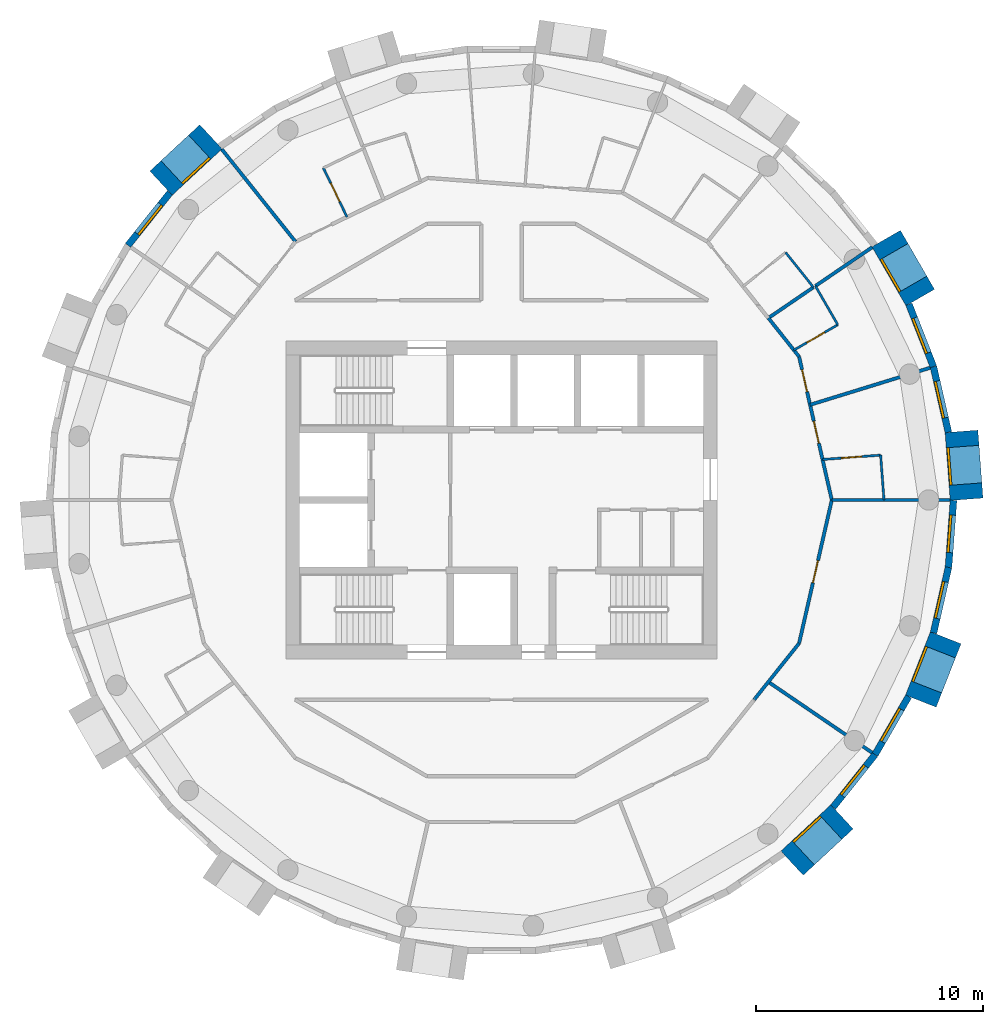
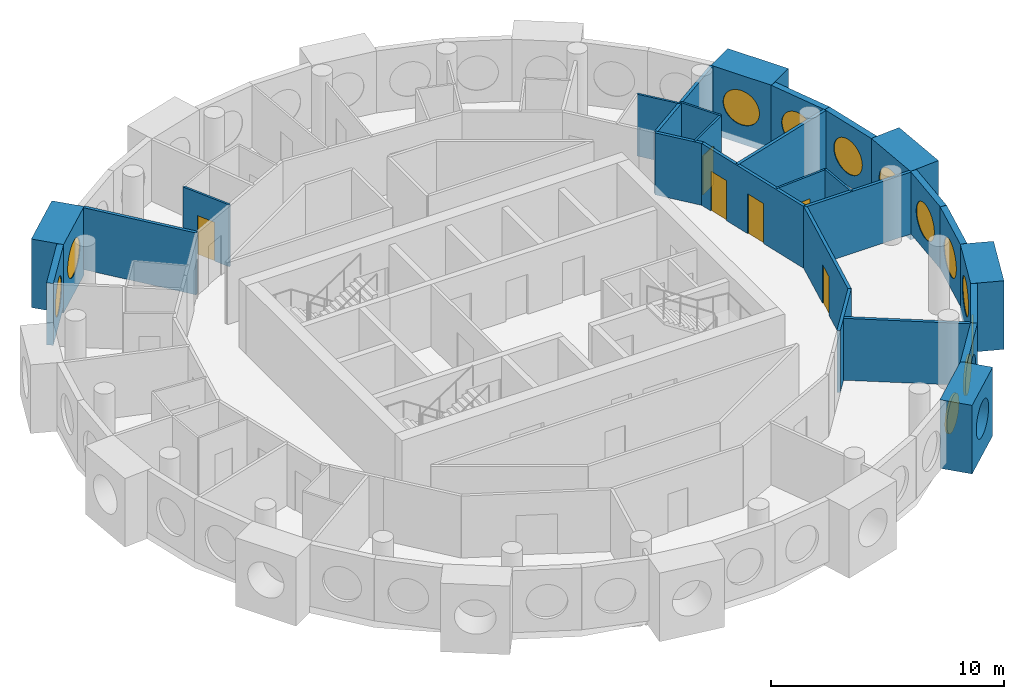
# One storey, part 9 of 12: 28 walls, 12 windows, 6 doors, 18 openings.
"""IFC4 building model written with IfcOpenShell, lengths in metres."""

from ifc_helpers import new_model, si_unit, direction, frame, frame_2d, origin, origin_2d, place, context, subcontext, project, spatial, rectangle, circle, extrude, material, layer, layer_set, type_object, element, fill, save


model = new_model("IFC4")

# Units and contexts
model_context = context("Model", 3, precision=1e-05, world=origin(), true_north=direction((0.0, 1.0)))
body_context = subcontext(model_context, "Body", "Model", "MODEL_VIEW")
ifc_project = project(units=[si_unit("LENGTHUNIT", "METRE"), si_unit("AREAUNIT", "SQUARE_METRE"), si_unit("VOLUMEUNIT", "CUBIC_METRE"), si_unit("PLANEANGLEUNIT", "RADIAN"), si_unit("MASSUNIT", "GRAM", prefix="KILO")], contexts=[model_context])

# Site, building, storey
site_placement = place(None, origin())
site = spatial("IfcSite", under=ifc_project, at=site_placement, CompositionType="ELEMENT")
building_placement = place(site_placement, origin())
building = spatial("IfcBuilding", under=site, at=building_placement, Name="Tracery Tower", CompositionType="ELEMENT")
storey_placement = place(building_placement, frame((0.0, 0.0, 312.60009765625)))
storey = spatial("IfcBuildingStorey", under=building, at=storey_placement, Name="L81", CompositionType="ELEMENT", Elevation=312.60009765625)

# Wall, opening, window
ifc_material_1 = material(Name="Precast concrete C50/60", Category="concrete")
ifc_layer_1 = layer(ifc_material_1, 1.449951171875)
ifc_layer_set_1 = layer_set([ifc_layer_1], Name="Deep-set bay unit 3000 x 3600, slab edge 350")
wall_type_1 = type_object("IfcWallType", Name="Deep-set bay unit 3000 x 3600, slab edge 350", PredefinedType="ELEMENTEDWALL", material=ifc_layer_set_1)
wall_1_placement = place(storey_placement, frame((20.49609375, 0.03173828125, -0.35009765625), z_axis=(0.0, 0.0, 1.0), x_axis=(-0.074785902127, 0.997199613339, 0.0)))
wall_1 = element("IfcWall", 1, at=wall_1_placement, inside=storey, type_object=wall_type_1, Name="Deep-set bay unit 1 at L81", PredefinedType="ELEMENTEDWALL", context=body_context, shape_type="SweptSolid", body=[
    extrude(rectangle(XDim=3.0, YDim=1.449951171875, at=frame_2d((1.5, 0.0))), origin(), (0.0, 0.0, 1.0), 3.60009765625),
])
opening_1_placement = place(wall_1_placement, frame((1.5, 0.0, 1.89990234375)))
opening_1 = element("IfcOpeningElement", 2, at=opening_1_placement, cuts=wall_1, Name="Opening WN1", PredefinedType="OPENING", context=body_context, shape_type="SweptSolid", body=[
    extrude(circle(Radius=0.9000244140625, at=origin_2d()), frame((0.0, 0.73486328125, 0.0), z_axis=(0.0, -1.0, 0.0), x_axis=(1.0, 0.0, 0.0)), (0.0, 0.0, 1.0), 1.469970703125),
])
ifc_material_2 = material(Name="Aluminium frame with tinted double glazing", Category="aluminium")
window_type = type_object("IfcWindowType", Name="Round window 1800", PartitioningType="SINGLE_PANEL", PredefinedType="WINDOW", material=ifc_material_2)
window_1_placement = place(opening_1_placement, origin())
window_1 = element("IfcWindow", 3, at=window_1_placement, inside=storey, type_object=window_type, Name="Round window 1 at L81", OverallHeight=1.800048828125, OverallWidth=1.800048828125, PartitioningType="SINGLE_PANEL", PredefinedType="WINDOW", context=body_context, shape_type="SweptSolid", body=[
    extrude(circle(Radius=0.9000244140625, at=origin_2d()), frame((0.0, 0.69482421875, 0.0), z_axis=(0.0, -1.0, 0.0), x_axis=(1.0, 0.0, 0.0)), (0.0, 0.0, 1.0), 0.10009765625),
])
fill(opening_1, window_1)

wall_2_placement = place(storey_placement, frame((18.452392578125, 8.92138671875, -0.35009765625), z_axis=(0.0, 0.0, 1.0), x_axis=(-0.499990139034, 0.866031096941, 0.0)))
wall_2 = element("IfcWall", 4, at=wall_2_placement, inside=storey, type_object=wall_type_1, Name="Deep-set bay unit 4 at L81", PredefinedType="ELEMENTEDWALL", context=body_context, shape_type="SweptSolid", body=[
    extrude(rectangle(XDim=3.0, YDim=1.449951171875, at=frame_2d((1.5, 0.0))), origin(), (0.0, 0.0, 1.0), 3.60009765625),
])
opening_2_placement = place(wall_2_placement, frame((1.5, 0.0, 1.89990234375)))
opening_2 = element("IfcOpeningElement", 5, at=opening_2_placement, cuts=wall_2, Name="Opening WN1", PredefinedType="OPENING", context=body_context, shape_type="SweptSolid", body=[
    extrude(circle(Radius=0.9000244140625, at=origin_2d()), frame((0.0, 0.73486328125, 0.0), z_axis=(0.0, -1.0, 0.0), x_axis=(1.0, 0.0, 0.0)), (0.0, 0.0, 1.0), 1.469970703125),
])
window_2_placement = place(opening_2_placement, origin())
window_2 = element("IfcWindow", 6, at=window_2_placement, inside=storey, type_object=window_type, Name="Round window 4 at L81", OverallHeight=1.800048828125, OverallWidth=1.800048828125, PartitioningType="SINGLE_PANEL", PredefinedType="WINDOW", context=body_context, shape_type="SweptSolid", body=[
    extrude(circle(Radius=0.9000244140625, at=origin_2d()), frame((0.0, 0.69482421875, 0.0), z_axis=(0.0, -1.0, 0.0), x_axis=(1.0, 0.0, 0.0)), (0.0, 0.0, 1.0), 0.10009765625),
])
fill(opening_2, window_2)

wall_3_placement = place(storey_placement, frame((-12.803955078125, 16.004638671875, -0.35009765625), z_axis=(0.0, 0.0, 1.0), x_axis=(-0.733022439167, -0.680204457261, 0.0)))
wall_3 = element("IfcWall", 7, at=wall_3_placement, inside=storey, type_object=wall_type_1, Name="Deep-set bay unit 16 at L81", PredefinedType="ELEMENTEDWALL", context=body_context, shape_type="SweptSolid", body=[
    extrude(rectangle(XDim=2.999755859375, YDim=1.449951171875, at=frame_2d((1.5, 0.0))), origin(), (0.0, 0.0, 1.0), 3.60009765625),
])
opening_3_placement = place(wall_3_placement, frame((1.5, 0.0, 1.89990234375)))
opening_3 = element("IfcOpeningElement", 8, at=opening_3_placement, cuts=wall_3, Name="Opening WN1", PredefinedType="OPENING", context=body_context, shape_type="SweptSolid", body=[
    extrude(circle(Radius=0.9000244140625, at=origin_2d()), frame((0.0, 0.73486328125, 0.0), z_axis=(0.0, -1.0, 0.0), x_axis=(1.0, 0.0, 0.0)), (0.0, 0.0, 1.0), 1.469970703125),
])
window_3_placement = place(opening_3_placement, origin())
window_3 = element("IfcWindow", 9, at=window_3_placement, inside=storey, type_object=window_type, Name="Round window 16 at L81", OverallHeight=1.800048828125, OverallWidth=1.800048828125, PartitioningType="SINGLE_PANEL", PredefinedType="WINDOW", context=body_context, shape_type="SweptSolid", body=[
    extrude(circle(Radius=0.9000244140625, at=origin_2d()), frame((0.0, 0.69482421875, 0.0), z_axis=(0.0, -1.0, 0.0), x_axis=(1.0, 0.0, 0.0)), (0.0, 0.0, 1.0), 0.10009765625),
])
fill(opening_3, window_3)

wall_4_placement = place(storey_placement, frame((12.803955078125, -16.004638671875, -0.35009765625), z_axis=(0.0, 0.0, 1.0), x_axis=(0.733022439167, 0.680204457261, 0.0)))
wall_4 = element("IfcWall", 10, at=wall_4_placement, inside=storey, type_object=wall_type_1, Name="Deep-set bay unit 37 at L81", PredefinedType="ELEMENTEDWALL", context=body_context, shape_type="SweptSolid", body=[
    extrude(rectangle(XDim=2.999755859375, YDim=1.449951171875, at=frame_2d((1.5, 0.0))), origin(), (0.0, 0.0, 1.0), 3.60009765625),
])
opening_4_placement = place(wall_4_placement, frame((1.5, 0.0, 1.89990234375)))
opening_4 = element("IfcOpeningElement", 11, at=opening_4_placement, cuts=wall_4, Name="Opening WN1", PredefinedType="OPENING", context=body_context, shape_type="SweptSolid", body=[
    extrude(circle(Radius=0.9000244140625, at=origin_2d()), frame((0.0, 0.73486328125, 0.0), z_axis=(0.0, -1.0, 0.0), x_axis=(1.0, 0.0, 0.0)), (0.0, 0.0, 1.0), 1.469970703125),
])
window_4_placement = place(opening_4_placement, origin())
window_4 = element("IfcWindow", 12, at=window_4_placement, inside=storey, type_object=window_type, Name="Round window 37 at L81", OverallHeight=1.800048828125, OverallWidth=1.800048828125, PartitioningType="SINGLE_PANEL", PredefinedType="WINDOW", context=body_context, shape_type="SweptSolid", body=[
    extrude(circle(Radius=0.9000244140625, at=origin_2d()), frame((0.0, 0.69482421875, 0.0), z_axis=(0.0, -1.0, 0.0), x_axis=(1.0, 0.0, 0.0)), (0.0, 0.0, 1.0), 0.10009765625),
])
fill(opening_4, window_4)

wall_5_placement = place(storey_placement, frame((18.47998046875, -8.8642578125, -0.35009765625), z_axis=(0.0, 0.0, 1.0), x_axis=(0.36537792632, 0.93085926485, 0.0)))
wall_5 = element("IfcWall", 13, at=wall_5_placement, inside=storey, type_object=wall_type_1, Name="Deep-set bay unit 40 at L81", PredefinedType="ELEMENTEDWALL", context=body_context, shape_type="SweptSolid", body=[
    extrude(rectangle(XDim=3.000244140625, YDim=1.449951171875, at=frame_2d((1.5, 0.0))), origin(), (0.0, 0.0, 1.0), 3.60009765625),
])
opening_5_placement = place(wall_5_placement, frame((1.5, 0.0, 1.89990234375)))
opening_5 = element("IfcOpeningElement", 14, at=opening_5_placement, cuts=wall_5, Name="Opening WN1", PredefinedType="OPENING", context=body_context, shape_type="SweptSolid", body=[
    extrude(circle(Radius=0.9000244140625, at=origin_2d()), frame((0.0, 0.73486328125, 0.0), z_axis=(0.0, -1.0, 0.0), x_axis=(1.0, 0.0, 0.0)), (0.0, 0.0, 1.0), 1.469970703125),
])
window_5_placement = place(opening_5_placement, origin())
window_5 = element("IfcWindow", 15, at=window_5_placement, inside=storey, type_object=window_type, Name="Round window 40 at L81", OverallHeight=1.800048828125, OverallWidth=1.800048828125, PartitioningType="SINGLE_PANEL", PredefinedType="WINDOW", context=body_context, shape_type="SweptSolid", body=[
    extrude(circle(Radius=0.9000244140625, at=origin_2d()), frame((0.0, 0.69482421875, 0.0), z_axis=(0.0, -1.0, 0.0), x_axis=(1.0, 0.0, 0.0)), (0.0, 0.0, 1.0), 0.10009765625),
])
fill(opening_5, window_5)

ifc_material_3 = material(Name="Precast concrete C50/60", Category="concrete")
ifc_layer_2 = layer(ifc_material_3, 0.300048828125)
ifc_layer_set_2 = layer_set([ifc_layer_2], Name="Facade panel 3000 x 3250")
wall_type_2 = type_object("IfcWallType", Name="Facade panel 3000 x 3250", PredefinedType="SOLIDWALL", material=ifc_layer_set_2)
wall_6_placement = place(storey_placement, frame((19.69580078125, 2.984130859375, 0.0), z_axis=(0.0, 0.0, 1.0), x_axis=(-0.222529389789, 0.974925982155, 0.0)))
wall_6 = element("IfcWall", 16, at=wall_6_placement, inside=storey, type_object=wall_type_2, Name="Facade panel 2 at L81", PredefinedType="SOLIDWALL", context=body_context, shape_type="SweptSolid", body=[
    extrude(rectangle(XDim=2.962158203125, YDim=0.300048828125, at=frame_2d((1.48095703125, 0.0))), origin(), (0.0, 0.0, 1.0), 3.25),
])
opening_6_placement = place(wall_6_placement, frame((1.48095703125, 0.0, 1.5498046875)))
opening_6 = element("IfcOpeningElement", 17, at=opening_6_placement, cuts=wall_6, Name="Opening WN1", PredefinedType="OPENING", context=body_context, shape_type="SweptSolid", body=[
    extrude(circle(Radius=0.9000244140625, at=origin_2d()), frame((0.0, 0.159912109375, 0.0), z_axis=(0.0, -1.0, 0.0), x_axis=(1.0, 0.0, 0.0)), (0.0, 0.0, 1.0), 0.320068359375),
])
window_6_placement = place(opening_6_placement, origin())
window_6 = element("IfcWindow", 18, at=window_6_placement, inside=storey, type_object=window_type, Name="Round window 2 at L81", OverallHeight=1.800048828125, OverallWidth=1.800048828125, PartitioningType="SINGLE_PANEL", PredefinedType="WINDOW", context=body_context, shape_type="SweptSolid", body=[
    extrude(circle(Radius=0.9000244140625, at=origin_2d()), frame((0.0, 0.1201171875, 0.0), z_axis=(0.0, -1.0, 0.0), x_axis=(1.0, 0.0, 0.0)), (0.0, 0.0, 1.0), 0.10009765625),
])
fill(opening_6, window_6)

wall_7_placement = place(storey_placement, frame((19.03662109375, 5.8720703125, 0.0), z_axis=(0.0, 0.0, 1.0), x_axis=(-0.36530043032, 0.930889679612, 0.0)))
wall_7 = element("IfcWall", 19, at=wall_7_placement, inside=storey, type_object=wall_type_2, Name="Facade panel 3 at L81", PredefinedType="SOLIDWALL", context=body_context, shape_type="SweptSolid", body=[
    extrude(rectangle(XDim=2.9619140625, YDim=0.300048828125, at=frame_2d((1.48095703125, 0.0))), origin(), (0.0, 0.0, 1.0), 3.25),
])
opening_7_placement = place(wall_7_placement, frame((1.48095703125, 0.0, 1.5498046875)))
opening_7 = element("IfcOpeningElement", 20, at=opening_7_placement, cuts=wall_7, Name="Opening WN1", PredefinedType="OPENING", context=body_context, shape_type="SweptSolid", body=[
    extrude(circle(Radius=0.9000244140625, at=origin_2d()), frame((0.0, 0.159912109375, 0.0), z_axis=(0.0, -1.0, 0.0), x_axis=(1.0, 0.0, 0.0)), (0.0, 0.0, 1.0), 0.320068359375),
])
window_7_placement = place(opening_7_placement, origin())
window_7 = element("IfcWindow", 21, at=window_7_placement, inside=storey, type_object=window_type, Name="Round window 3 at L81", OverallHeight=1.800048828125, OverallWidth=1.800048828125, PartitioningType="SINGLE_PANEL", PredefinedType="WINDOW", context=body_context, shape_type="SweptSolid", body=[
    extrude(circle(Radius=0.9000244140625, at=origin_2d()), frame((0.0, 0.1201171875, 0.0), z_axis=(0.0, -1.0, 0.0), x_axis=(1.0, 0.0, 0.0)), (0.0, 0.0, 1.0), 0.10009765625),
])
fill(opening_7, window_7)

wall_8_placement = place(storey_placement, frame((-14.61328125, 13.538330078125, 0.0), z_axis=(0.0, 0.0, 1.0), x_axis=(-0.623498236992, -0.781824755599, 0.0)))
wall_8 = element("IfcWall", 22, at=wall_8_placement, inside=storey, type_object=wall_type_2, Name="Facade panel 17 at L81", PredefinedType="SOLIDWALL", context=body_context, shape_type="SweptSolid", body=[
    extrude(rectangle(XDim=2.962158203125, YDim=0.300048828125, at=frame_2d((1.48095703125, 0.0))), origin(), (0.0, 0.0, 1.0), 3.25),
])
opening_8_placement = place(wall_8_placement, frame((1.48095703125, 0.0, 1.5498046875)))
opening_8 = element("IfcOpeningElement", 23, at=opening_8_placement, cuts=wall_8, Name="Opening WN1", PredefinedType="OPENING", context=body_context, shape_type="SweptSolid", body=[
    extrude(circle(Radius=0.9000244140625, at=origin_2d()), frame((0.0, 0.159912109375, 0.0), z_axis=(0.0, -1.0, 0.0), x_axis=(1.0, 0.0, 0.0)), (0.0, 0.0, 1.0), 0.320068359375),
])
window_8_placement = place(opening_8_placement, origin())
window_8 = element("IfcWindow", 24, at=window_8_placement, inside=storey, type_object=window_type, Name="Round window 17 at L81", OverallHeight=1.800048828125, OverallWidth=1.800048828125, PartitioningType="SINGLE_PANEL", PredefinedType="WINDOW", context=body_context, shape_type="SweptSolid", body=[
    extrude(circle(Radius=0.9000244140625, at=origin_2d()), frame((0.0, 0.1201171875, 0.0), z_axis=(0.0, -1.0, 0.0), x_axis=(1.0, 0.0, 0.0)), (0.0, 0.0, 1.0), 0.10009765625),
])
fill(opening_8, window_8)

wall_9_placement = place(storey_placement, frame((14.61328125, -13.538330078125, 0.0), z_axis=(0.0, 0.0, 1.0), x_axis=(0.623498236992, 0.781824755599, 0.0)))
wall_9 = element("IfcWall", 25, at=wall_9_placement, inside=storey, type_object=wall_type_2, Name="Facade panel 38 at L81", PredefinedType="SOLIDWALL", context=body_context, shape_type="SweptSolid", body=[
    extrude(rectangle(XDim=2.962158203125, YDim=0.300048828125, at=frame_2d((1.48095703125, 0.0))), origin(), (0.0, 0.0, 1.0), 3.25),
])
opening_9_placement = place(wall_9_placement, frame((1.48095703125, 0.0, 1.5498046875)))
opening_9 = element("IfcOpeningElement", 26, at=opening_9_placement, cuts=wall_9, Name="Opening WN1", PredefinedType="OPENING", context=body_context, shape_type="SweptSolid", body=[
    extrude(circle(Radius=0.9000244140625, at=origin_2d()), frame((0.0, 0.159912109375, 0.0), z_axis=(0.0, -1.0, 0.0), x_axis=(1.0, 0.0, 0.0)), (0.0, 0.0, 1.0), 0.320068359375),
])
window_9_placement = place(opening_9_placement, origin())
window_9 = element("IfcWindow", 27, at=window_9_placement, inside=storey, type_object=window_type, Name="Round window 38 at L81", OverallHeight=1.800048828125, OverallWidth=1.800048828125, PartitioningType="SINGLE_PANEL", PredefinedType="WINDOW", context=body_context, shape_type="SweptSolid", body=[
    extrude(circle(Radius=0.9000244140625, at=origin_2d()), frame((0.0, 0.1201171875, 0.0), z_axis=(0.0, -1.0, 0.0), x_axis=(1.0, 0.0, 0.0)), (0.0, 0.0, 1.0), 0.10009765625),
])
fill(opening_9, window_9)

wall_10_placement = place(storey_placement, frame((16.460205078125, -11.222412109375, 0.0), z_axis=(0.0, 0.0, 1.0), x_axis=(0.499950756475, 0.86605383268, 0.0)))
wall_10 = element("IfcWall", 28, at=wall_10_placement, inside=storey, type_object=wall_type_2, Name="Facade panel 39 at L81", PredefinedType="SOLIDWALL", context=body_context, shape_type="SweptSolid", body=[
    extrude(rectangle(XDim=2.962158203125, YDim=0.300048828125, at=frame_2d((1.48095703125, 0.0))), origin(), (0.0, 0.0, 1.0), 3.25),
])
opening_10_placement = place(wall_10_placement, frame((1.48095703125, 0.0, 1.5498046875)))
opening_10 = element("IfcOpeningElement", 29, at=opening_10_placement, cuts=wall_10, Name="Opening WN1", PredefinedType="OPENING", context=body_context, shape_type="SweptSolid", body=[
    extrude(circle(Radius=0.9000244140625, at=origin_2d()), frame((0.0, 0.159912109375, 0.0), z_axis=(0.0, -1.0, 0.0), x_axis=(1.0, 0.0, 0.0)), (0.0, 0.0, 1.0), 0.320068359375),
])
window_10_placement = place(opening_10_placement, origin())
window_10 = element("IfcWindow", 30, at=window_10_placement, inside=storey, type_object=window_type, Name="Round window 39 at L81", OverallHeight=1.800048828125, OverallWidth=1.800048828125, PartitioningType="SINGLE_PANEL", PredefinedType="WINDOW", context=body_context, shape_type="SweptSolid", body=[
    extrude(circle(Radius=0.9000244140625, at=origin_2d()), frame((0.0, 0.1201171875, 0.0), z_axis=(0.0, -1.0, 0.0), x_axis=(1.0, 0.0, 0.0)), (0.0, 0.0, 1.0), 0.10009765625),
])
fill(opening_10, window_10)

wall_11_placement = place(storey_placement, frame((19.0400390625, -5.857177734375, 0.0), z_axis=(0.0, 0.0, 1.0), x_axis=(0.222529389789, 0.974925982155, 0.0)))
wall_11 = element("IfcWall", 31, at=wall_11_placement, inside=storey, type_object=wall_type_2, Name="Facade panel 41 at L81", PredefinedType="SOLIDWALL", context=body_context, shape_type="SweptSolid", body=[
    extrude(rectangle(XDim=2.962158203125, YDim=0.300048828125, at=frame_2d((1.48095703125, 0.0))), origin(), (0.0, 0.0, 1.0), 3.25),
])
opening_11_placement = place(wall_11_placement, frame((1.48095703125, 0.0, 1.5498046875)))
opening_11 = element("IfcOpeningElement", 32, at=opening_11_placement, cuts=wall_11, Name="Opening WN1", PredefinedType="OPENING", context=body_context, shape_type="SweptSolid", body=[
    extrude(circle(Radius=0.9000244140625, at=origin_2d()), frame((0.0, 0.159912109375, 0.0), z_axis=(0.0, -1.0, 0.0), x_axis=(1.0, 0.0, 0.0)), (0.0, 0.0, 1.0), 0.320068359375),
])
window_11_placement = place(opening_11_placement, origin())
window_11 = element("IfcWindow", 33, at=window_11_placement, inside=storey, type_object=window_type, Name="Round window 41 at L81", OverallHeight=1.800048828125, OverallWidth=1.800048828125, PartitioningType="SINGLE_PANEL", PredefinedType="WINDOW", context=body_context, shape_type="SweptSolid", body=[
    extrude(circle(Radius=0.9000244140625, at=origin_2d()), frame((0.0, 0.1201171875, 0.0), z_axis=(0.0, -1.0, 0.0), x_axis=(1.0, 0.0, 0.0)), (0.0, 0.0, 1.0), 0.10009765625),
])
fill(opening_11, window_11)

wall_12_placement = place(storey_placement, frame((19.69921875, -2.96923828125, 0.0), z_axis=(0.0, 0.0, 1.0), x_axis=(0.07474897196, 0.997202382263, 0.0)))
wall_12 = element("IfcWall", 34, at=wall_12_placement, inside=storey, type_object=wall_type_2, Name="Facade panel 42 at L81", PredefinedType="SOLIDWALL", context=body_context, shape_type="SweptSolid", body=[
    extrude(rectangle(XDim=2.96240234375, YDim=0.300048828125, at=frame_2d((1.481201171875, 0.0))), origin(), (0.0, 0.0, 1.0), 3.25),
])
opening_12_placement = place(wall_12_placement, frame((1.48095703125, 0.0, 1.5498046875)))
opening_12 = element("IfcOpeningElement", 35, at=opening_12_placement, cuts=wall_12, Name="Opening WN1", PredefinedType="OPENING", context=body_context, shape_type="SweptSolid", body=[
    extrude(circle(Radius=0.9000244140625, at=origin_2d()), frame((0.0, 0.159912109375, 0.0), z_axis=(0.0, -1.0, 0.0), x_axis=(1.0, 0.0, 0.0)), (0.0, 0.0, 1.0), 0.320068359375),
])
window_12_placement = place(opening_12_placement, origin())
window_12 = element("IfcWindow", 36, at=window_12_placement, inside=storey, type_object=window_type, Name="Round window 42 at L81", OverallHeight=1.800048828125, OverallWidth=1.800048828125, PartitioningType="SINGLE_PANEL", PredefinedType="WINDOW", context=body_context, shape_type="SweptSolid", body=[
    extrude(circle(Radius=0.9000244140625, at=origin_2d()), frame((0.0, 0.1201171875, 0.0), z_axis=(0.0, -1.0, 0.0), x_axis=(1.0, 0.0, 0.0)), (0.0, 0.0, 1.0), 0.10009765625),
])
fill(opening_12, window_12)

# Wall
ifc_material_4 = material(Name="Plasterboard on steel studs", Category="steel")
ifc_layer_3 = layer(ifc_material_4, 0.10009765625)
ifc_layer_set_3 = layer_set([ifc_layer_3], Name="Partition 100 wet wall")
wall_type_3 = type_object("IfcWallType", Name="Partition 100 wet wall", PredefinedType="PARTITIONING", material=ifc_layer_set_3)
wall_13_placement = place(storey_placement, frame((16.7080078125, 1.97705078125, 0.0), z_axis=(0.0, 0.0, 1.0), x_axis=(0.074624634103, -0.997211694669, 0.0)))
element("IfcWall", 37, at=wall_13_placement, inside=storey, type_object=wall_type_3, Name="Wet wall RC8-043", PredefinedType="PARTITIONING", context=body_context, shape_type="SweptSolid", body=[
    extrude(rectangle(XDim=1.982666015625, YDim=0.10009765625, at=frame_2d((0.9912109375, 0.0))), origin(), (0.0, 0.0, 1.0), 3.25),
])

# Wall, opening, door
wall_14_placement = place(storey_placement, frame((14.14892578125, 1.784912109375, 0.0), z_axis=(0.0, 0.0, 1.0), x_axis=(0.997193275785, 0.074870359477, 0.0)))
wall_14 = element("IfcWall", 38, at=wall_14_placement, inside=storey, type_object=wall_type_3, Name="Wet wall RC8-044", PredefinedType="PARTITIONING", context=body_context, shape_type="SweptSolid", body=[
    extrude(rectangle(XDim=2.56640625, YDim=0.10009765625, at=frame_2d((1.283203125, 0.0))), origin(), (0.0, 0.0, 1.0), 3.25),
])
opening_13_placement = place(wall_14_placement, frame((0.833251953125, 0.0, 0.0)))
opening_13 = element("IfcOpeningElement", 39, at=opening_13_placement, cuts=wall_14, Name="Opening RC8-04", PredefinedType="OPENING", context=body_context, shape_type="SweptSolid", body=[
    extrude(rectangle(XDim=0.89990234375, YDim=2.0400390625, at=frame_2d((0.449951171875, 1.02001953125))), frame((0.0, 0.050048828125, 0.0), z_axis=(0.0, -1.0, 0.0), x_axis=(1.0, 0.0, 0.0)), (0.0, 0.0, 1.0), 0.10009765625),
])
ifc_material_5 = material(Name="Timber door leaf", Category="wood")
door_type_1 = type_object("IfcDoorType", Name="Door en-suite 900", OperationType="NOTDEFINED", PredefinedType="DOOR", material=ifc_material_5)
door_1_placement = place(opening_13_placement, origin())
door_1 = element("IfcDoor", 40, at=door_1_placement, inside=storey, type_object=door_type_1, Name="En-suite door RC8-04", OperationType="SINGLE_SWING_LEFT", OverallHeight=2.0400390625, OverallWidth=0.89990234375, PredefinedType="DOOR", context=body_context, shape_type="SweptSolid", body=[
    extrude(rectangle(XDim=0.89990234375, YDim=2.0400390625, at=frame_2d((0.449951171875, 1.02001953125))), frame((0.0, 0.02490234375, 0.0), z_axis=(0.0, -1.0, 0.0), x_axis=(1.0, 0.0, 0.0)), (0.0, 0.0, 1.0), 0.050048828125),
])
fill(opening_13, door_1)

wall_15_placement = place(storey_placement, frame((12.885009765625, 6.60498046875, 0.0), z_axis=(0.0, 0.0, 1.0), x_axis=(0.866076416361, 0.499911633214, 0.0)))
wall_15 = element("IfcWall", 41, at=wall_15_placement, inside=storey, type_object=wall_type_3, Name="Wet wall RC8-047", PredefinedType="PARTITIONING", context=body_context, shape_type="SweptSolid", body=[
    extrude(rectangle(XDim=2.234375, YDim=0.10009765625, at=frame_2d((1.1171875, 0.0))), origin(), (0.0, 0.0, 1.0), 3.25),
])
opening_14_placement = place(wall_15_placement, frame((0.6669921875, 0.0, 0.0)))
opening_14 = element("IfcOpeningElement", 42, at=opening_14_placement, cuts=wall_15, Name="Opening RC8-06", PredefinedType="OPENING", context=body_context, shape_type="SweptSolid", body=[
    extrude(rectangle(XDim=0.89990234375, YDim=2.0400390625, at=frame_2d((0.449951171875, 1.02001953125))), frame((0.0, 0.050048828125, 0.0), z_axis=(0.0, -1.0, 0.0), x_axis=(1.0, 0.0, 0.0)), (0.0, 0.0, 1.0), 0.10009765625),
])
door_2_placement = place(opening_14_placement, origin())
door_2 = element("IfcDoor", 43, at=door_2_placement, inside=storey, type_object=door_type_1, Name="En-suite door RC8-06", OperationType="SINGLE_SWING_LEFT", OverallHeight=2.0400390625, OverallWidth=0.89990234375, PredefinedType="DOOR", context=body_context, shape_type="SweptSolid", body=[
    extrude(rectangle(XDim=0.89990234375, YDim=2.0400390625, at=frame_2d((0.449951171875, 1.02001953125))), frame((0.0, 0.02490234375, 0.0), z_axis=(0.0, -1.0, 0.0), x_axis=(1.0, 0.0, 0.0)), (0.0, 0.0, 1.0), 0.050048828125),
])
fill(opening_14, door_2)

# Walls
wall_16_placement = place(storey_placement, frame((13.8330078125, 9.430908203125, 0.0), z_axis=(0.0, 0.0, 1.0), x_axis=(0.500143626598, -0.865942465048, 0.0)))
element("IfcWall", 44, at=wall_16_placement, inside=storey, type_object=wall_type_3, Name="Wet wall RC8-048", PredefinedType="PARTITIONING", context=body_context, shape_type="SweptSolid", body=[
    extrude(rectangle(XDim=1.9736328125, YDim=0.10009765625, at=frame_2d((0.98681640625, 0.0))), origin(), (0.0, 0.0, 1.0), 3.25),
])
wall_17_placement = place(storey_placement, frame((12.52197265625, 10.909912109375, 0.0), z_axis=(0.0, 0.0, 1.0), x_axis=(0.623330716607, -0.781958322249, 0.0)))
element("IfcWall", 45, at=wall_17_placement, inside=storey, type_object=wall_type_3, Name="Wet wall RC8-051", PredefinedType="PARTITIONING", context=body_context, shape_type="SweptSolid", body=[
    extrude(rectangle(XDim=1.96533203125, YDim=0.10009765625, at=frame_2d((0.982666015625, 0.0))), origin(), (0.0, 0.0, 1.0), 3.25),
])

# Wall, opening, door
wall_18_placement = place(storey_placement, frame((-7.85009765625, 14.635009765625, 0.0), z_axis=(0.0, 0.0, 1.0), x_axis=(0.433815618773, -0.901001669759, 0.0)))
wall_18 = element("IfcWall", 46, at=wall_18_placement, inside=storey, type_object=wall_type_3, Name="Wet wall RC8-067", PredefinedType="PARTITIONING", context=body_context, shape_type="SweptSolid", body=[
    extrude(rectangle(XDim=2.399658203125, YDim=0.10009765625, at=frame_2d((1.19970703125, 0.0))), origin(), (0.0, 0.0, 1.0), 3.25),
])
opening_15_placement = place(wall_18_placement, frame((0.75, 0.0, 0.0)))
opening_15 = element("IfcOpeningElement", 47, at=opening_15_placement, cuts=wall_18, Name="Opening RC8-17", PredefinedType="OPENING", context=body_context, shape_type="SweptSolid", body=[
    extrude(rectangle(XDim=0.89990234375, YDim=2.0400390625, at=frame_2d((0.449951171875, 1.02001953125))), frame((0.0, 0.050048828125, 0.0), z_axis=(0.0, -1.0, 0.0), x_axis=(1.0, 0.0, 0.0)), (0.0, 0.0, 1.0), 0.10009765625),
])
door_3_placement = place(opening_15_placement, origin())
door_3 = element("IfcDoor", 48, at=door_3_placement, inside=storey, type_object=door_type_1, Name="En-suite door RC8-17", OperationType="SINGLE_SWING_RIGHT", OverallHeight=2.0400390625, OverallWidth=0.89990234375, PredefinedType="DOOR", context=body_context, shape_type="SweptSolid", body=[
    extrude(rectangle(XDim=0.89990234375, YDim=2.0400390625, at=frame_2d((0.449951171875, 1.02001953125))), frame((0.0, 0.02490234375, 0.0), z_axis=(0.0, -1.0, 0.0), x_axis=(1.0, 0.0, 0.0)), (0.0, 0.0, 1.0), 0.050048828125),
])
fill(opening_15, door_3)

# Walls
ifc_material_6 = material(Name="Plasterboard on steel studs", Category="steel")
ifc_layer_4 = layer(ifc_material_6, 0.14990234375)
ifc_layer_set_4 = layer_set([ifc_layer_4], Name="Partition 150 acoustic unit wall")
wall_type_4 = type_object("IfcWallType", Name="Partition 150 acoustic unit wall", PredefinedType="PARTITIONING", material=ifc_layer_set_4)
wall_19_placement = place(storey_placement, frame((13.59912109375, 4.195068359375, 0.0), z_axis=(0.0, 0.0, 1.0), x_axis=(0.955580602693, 0.294729896274, 0.0)))
element("IfcWall", 49, at=wall_19_placement, inside=storey, type_object=wall_type_4, Name="Unit wall RC8-045", PredefinedType="PARTITIONING", context=body_context, shape_type="SweptSolid", body=[
    extrude(rectangle(XDim=5.5400390625, YDim=0.14990234375, at=frame_2d((2.77001953125, 0.0))), origin(), (0.0, 0.0, 1.0), 3.25),
])
wall_20_placement = place(storey_placement, frame((14.556884765625, 0.0, 0.0), z_axis=(0.0, 0.0, 1.0), x_axis=(1.0, 0.0, 0.0)))
element("IfcWall", 50, at=wall_20_placement, inside=storey, type_object=wall_type_4, Name="Unit wall RC8-046", PredefinedType="PARTITIONING", context=body_context, shape_type="SweptSolid", body=[
    extrude(rectangle(XDim=5.214111328125, YDim=0.14990234375, at=frame_2d((2.60693359375, 0.0))), origin(), (0.0, 0.0, 1.0), 3.25),
])
wall_21_placement = place(storey_placement, frame((13.8330078125, 9.430908203125, 0.0), z_axis=(0.0, 0.0, 1.0), x_axis=(0.826152320289, 0.56344684193, 0.0)))
element("IfcWall", 51, at=wall_21_placement, inside=storey, type_object=wall_type_4, Name="Unit wall RC8-049", PredefinedType="PARTITIONING", context=body_context, shape_type="SweptSolid", body=[
    extrude(rectangle(XDim=3.029541015625, YDim=0.14990234375, at=frame_2d((1.5146484375, 0.0))), origin(), (0.0, 0.0, 1.0), 3.25),
])
wall_22_placement = place(storey_placement, frame((11.759033203125, 8.01708984375, 0.0), z_axis=(0.0, 0.0, 1.0), x_axis=(0.826143746222, 0.563459413426, 0.0)))
element("IfcWall", 52, at=wall_22_placement, inside=storey, type_object=wall_type_4, Name="Unit wall RC8-050", PredefinedType="PARTITIONING", context=body_context, shape_type="SweptSolid", body=[
    extrude(rectangle(XDim=2.409912109375, YDim=0.14990234375, at=frame_2d((1.205078125, 0.0))), origin(), (0.0, 0.0, 1.0), 3.25),
])
wall_23_placement = place(storey_placement, frame((-12.326904296875, 15.4580078125, 0.0), z_axis=(0.0, 0.0, 1.0), x_axis=(0.623460949534, -0.781854490558, 0.0)))
element("IfcWall", 53, at=wall_23_placement, inside=storey, type_object=wall_type_4, Name="Unit wall RC8-068", PredefinedType="PARTITIONING", context=body_context, shape_type="SweptSolid", body=[
    extrude(rectangle(XDim=5.21435546875, YDim=0.14990234375, at=frame_2d((2.607177734375, 0.0))), origin(), (0.0, 0.0, 1.0), 3.25),
])
wall_24_placement = place(storey_placement, frame((11.759033203125, -8.01708984375, 0.0), z_axis=(0.0, 0.0, 1.0), x_axis=(0.826207761897, -0.563365542238, 0.0)))
element("IfcWall", 54, at=wall_24_placement, inside=storey, type_object=wall_type_4, Name="Unit wall RC8-087", PredefinedType="PARTITIONING", context=body_context, shape_type="SweptSolid", body=[
    extrude(rectangle(XDim=5.53955078125, YDim=0.14990234375, at=frame_2d((2.769775390625, 0.0))), origin(), (0.0, 0.0, 1.0), 3.25),
])

# Wall, openings, doors
ifc_material_7 = material(Name="Plasterboard on steel studs", Category="steel")
ifc_layer_5 = layer(ifc_material_7, 0.14990234375)
ifc_layer_set_5 = layer_set([ifc_layer_5], Name="Partition 150 corridor wall")
wall_type_5 = type_object("IfcWallType", Name="Partition 150 corridor wall", PredefinedType="PARTITIONING", material=ifc_layer_set_5)
wall_25_placement = place(storey_placement, frame((13.11474609375, 6.31591796875, 0.0), z_axis=(0.0, 0.0, 1.0), x_axis=(0.222568978642, -0.97491694505, 0.0)))
wall_25 = element("IfcWall", 55, at=wall_25_placement, inside=storey, type_object=wall_type_5, Name="Corridor wall RC8-020", PredefinedType="PARTITIONING", context=body_context, shape_type="SweptSolid", body=[
    extrude(rectangle(XDim=6.478515625, YDim=0.14990234375, at=frame_2d((3.2392578125, 0.0))), origin(), (0.0, 0.0, 1.0), 3.25),
])
opening_16_placement = place(wall_25_placement, frame((2.911376953125, 0.0, 0.0)))
opening_16 = element("IfcOpeningElement", 56, at=opening_16_placement, cuts=wall_25, Name="Opening RC8-05", PredefinedType="OPENING", context=body_context, shape_type="SweptSolid", body=[
    extrude(rectangle(XDim=1.0, YDim=2.10009765625, at=frame_2d((0.5, 1.050048828125))), frame((0.0, 0.074951171875, 0.0), z_axis=(0.0, -1.0, 0.0), x_axis=(1.0, 0.0, 0.0)), (0.0, 0.0, 1.0), 0.14990234375),
])
opening_17_placement = place(wall_25_placement, frame((0.590087890625, 0.0, 0.0)))
opening_17 = element("IfcOpeningElement", 57, at=opening_17_placement, cuts=wall_25, Name="Opening RC8-07", PredefinedType="OPENING", context=body_context, shape_type="SweptSolid", body=[
    extrude(rectangle(XDim=1.0, YDim=2.10009765625, at=frame_2d((0.5, 1.050048828125))), frame((0.0, 0.074951171875, 0.0), z_axis=(0.0, -1.0, 0.0), x_axis=(1.0, 0.0, 0.0)), (0.0, 0.0, 1.0), 0.14990234375),
])
ifc_material_8 = material(Name="Timber door leaf", Category="wood")
door_type_2 = type_object("IfcDoorType", Name="Door unit entrance 1000", OperationType="NOTDEFINED", PredefinedType="DOOR", material=ifc_material_8)
door_4_placement = place(opening_16_placement, origin())
door_4 = element("IfcDoor", 58, at=door_4_placement, inside=storey, type_object=door_type_2, Name="Unit entrance door RC8-05", OperationType="SINGLE_SWING_LEFT", OverallHeight=2.10009765625, OverallWidth=1.0, PredefinedType="DOOR", context=body_context, shape_type="SweptSolid", body=[
    extrude(rectangle(XDim=1.0, YDim=2.10009765625, at=frame_2d((0.5, 1.050048828125))), frame((0.0, 0.02490234375, 0.0), z_axis=(0.0, -1.0, 0.0), x_axis=(1.0, 0.0, 0.0)), (0.0, 0.0, 1.0), 0.050048828125),
])
fill(opening_16, door_4)
door_5_placement = place(opening_17_placement, origin())
door_5 = element("IfcDoor", 59, at=door_5_placement, inside=storey, type_object=door_type_2, Name="Unit entrance door RC8-07", OperationType="SINGLE_SWING_RIGHT", OverallHeight=2.10009765625, OverallWidth=1.0, PredefinedType="DOOR", context=body_context, shape_type="SweptSolid", body=[
    extrude(rectangle(XDim=1.0, YDim=2.10009765625, at=frame_2d((0.5, 1.050048828125))), frame((0.0, 0.02490234375, 0.0), z_axis=(0.0, -1.0, 0.0), x_axis=(1.0, 0.0, 0.0)), (0.0, 0.0, 1.0), 0.050048828125),
])
fill(opening_17, door_5)

# Walls
wall_26_placement = place(storey_placement, frame((11.759521484375, 8.02197265625, 0.0), z_axis=(0.0, 0.0, 1.0), x_axis=(0.62206805366, -0.782963177049, 0.0)))
element("IfcWall", 60, at=wall_26_placement, inside=storey, type_object=wall_type_5, Name="Corridor wall RC8-021", PredefinedType="PARTITIONING", context=body_context, shape_type="SweptSolid", body=[
    extrude(rectangle(XDim=2.178955078125, YDim=0.14990234375, at=frame_2d((1.08935546875, 0.0))), origin(), (0.0, 0.0, 1.0), 3.25),
])
wall_27_placement = place(storey_placement, frame((11.134033203125, -8.800048828125, 0.0), z_axis=(0.0, 0.0, 1.0), x_axis=(0.623560523309, 0.781775078761, 0.0)))
element("IfcWall", 61, at=wall_27_placement, inside=storey, type_object=wall_type_5, Name="Corridor wall RC8-023", PredefinedType="PARTITIONING", context=body_context, shape_type="SweptSolid", body=[
    extrude(rectangle(XDim=3.17724609375, YDim=0.14990234375, at=frame_2d((1.588623046875, 0.0))), origin(), (0.0, 0.0, 1.0), 3.25),
])

# Wall, opening, door
wall_28_placement = place(storey_placement, frame((13.114990234375, -6.31591796875, 0.0), z_axis=(0.0, 0.0, 1.0), x_axis=(0.222568978642, 0.97491694505, 0.0)))
wall_28 = element("IfcWall", 62, at=wall_28_placement, inside=storey, type_object=wall_type_5, Name="Corridor wall RC8-024", PredefinedType="PARTITIONING", context=body_context, shape_type="SweptSolid", body=[
    extrude(rectangle(XDim=6.478515625, YDim=0.14990234375, at=frame_2d((3.2392578125, 0.0))), origin(), (0.0, 0.0, 1.0), 3.25),
])
opening_18_placement = place(wall_28_placement, frame((2.739501953125, 0.0, 0.0)))
opening_18 = element("IfcOpeningElement", 63, at=opening_18_placement, cuts=wall_28, Name="Opening RC8-32", PredefinedType="OPENING", context=body_context, shape_type="SweptSolid", body=[
    extrude(rectangle(XDim=1.0, YDim=2.0400390625, at=frame_2d((0.5, 1.02001953125))), frame((0.0, 0.074951171875, 0.0), z_axis=(0.0, -1.0, 0.0), x_axis=(1.0, 0.0, 0.0)), (0.0, 0.0, 1.0), 0.14990234375),
])
ifc_material_9 = material(Name="Timber door leaf", Category="wood")
door_type_3 = type_object("IfcDoorType", Name="Door communal room 1000", OperationType="NOTDEFINED", PredefinedType="DOOR", material=ifc_material_9)
door_6_placement = place(opening_18_placement, origin())
door_6 = element("IfcDoor", 64, at=door_6_placement, inside=storey, type_object=door_type_3, Name="Communal room door RC8-32", OperationType="SINGLE_SWING_LEFT", OverallHeight=2.0400390625, OverallWidth=1.0, PredefinedType="DOOR", context=body_context, shape_type="SweptSolid", body=[
    extrude(rectangle(XDim=1.0, YDim=2.0400390625, at=frame_2d((0.5, 1.02001953125))), frame((0.0, 0.02490234375, 0.0), z_axis=(0.0, -1.0, 0.0), x_axis=(1.0, 0.0, 0.0)), (0.0, 0.0, 1.0), 0.050048828125),
])
fill(opening_18, door_6)

save(model, "model.ifc")
